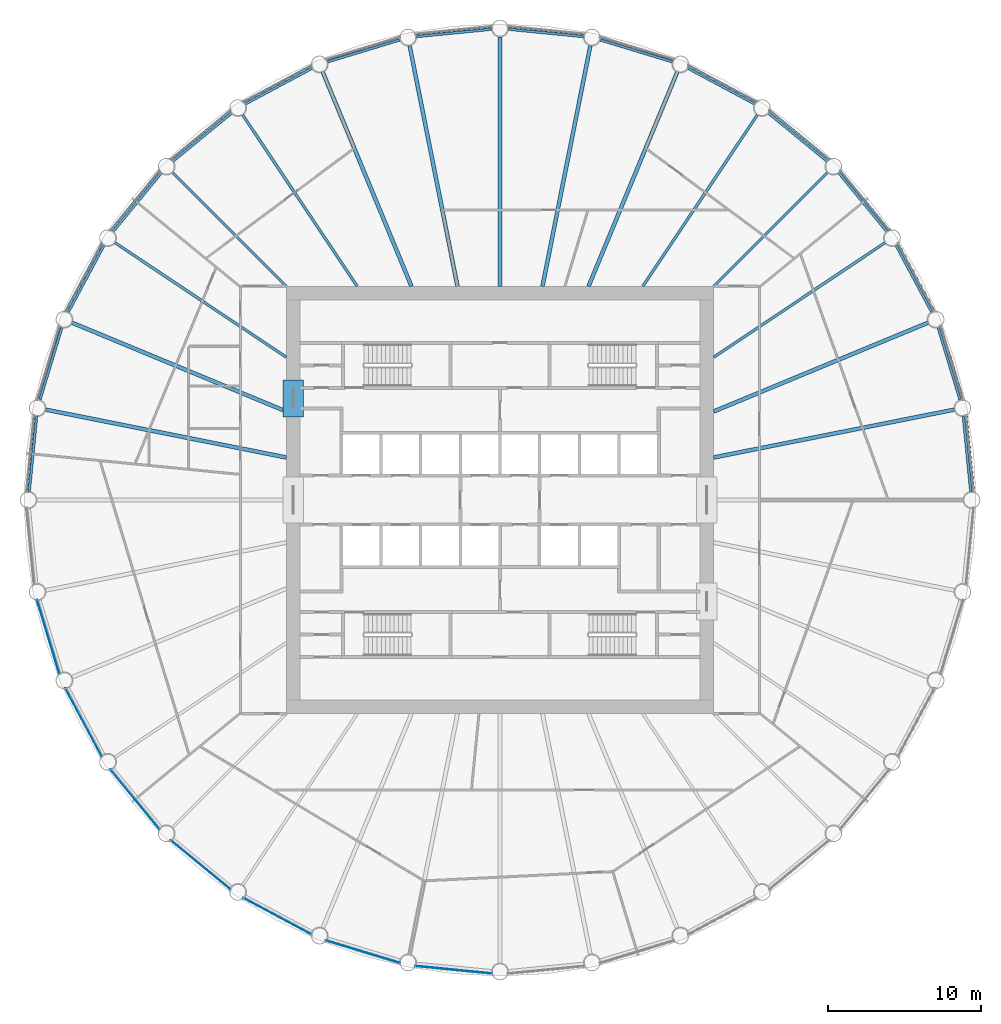
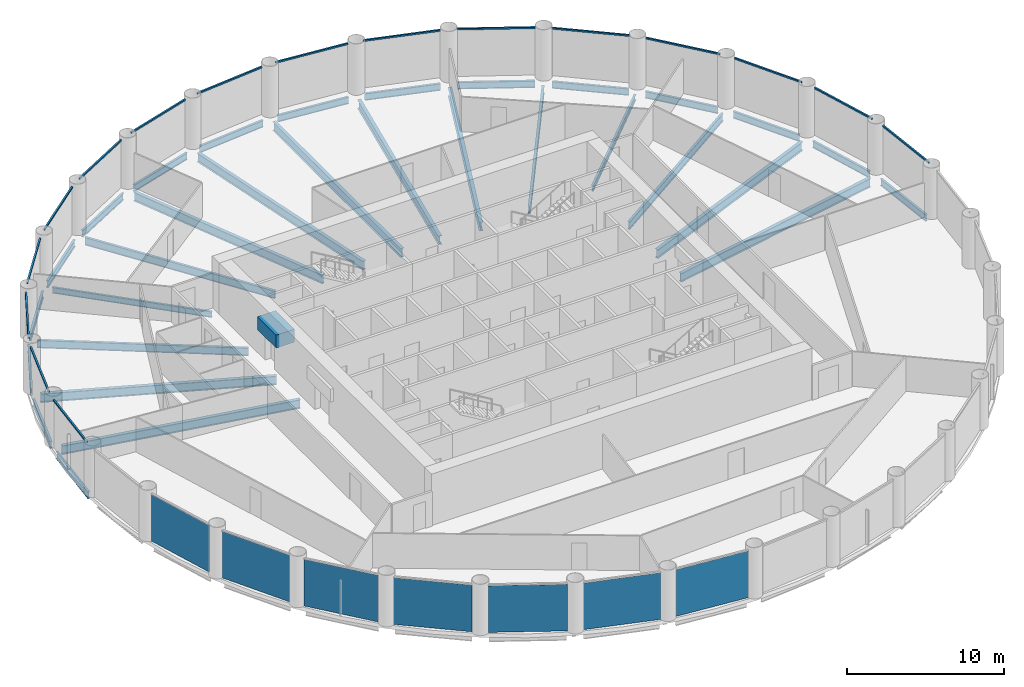
# One storey, part 2 of 9: 32 beams, 16 members, 7 plates, 23 elements without a shape of their own.
"""IFC4 building model written with IfcOpenShell, lengths in metres."""

from ifc_helpers import new_model, si_unit, direction, frame, origin, origin_2d, place, context, subcontext, project, spatial, rectangle, i_section, extrude, material, layer, layer_set, material_profile, profile_set, type_object, element, aggregate, save


model = new_model("IFC4")

# Units and contexts
model_context = context("Model", 3, precision=1e-05, world=origin(), true_north=direction((0.0, 1.0)))
body_context = subcontext(model_context, "Body", "Model", "MODEL_VIEW")
ifc_project = project(units=[si_unit("LENGTHUNIT", "METRE"), si_unit("AREAUNIT", "SQUARE_METRE"), si_unit("VOLUMEUNIT", "CUBIC_METRE"), si_unit("PLANEANGLEUNIT", "RADIAN"), si_unit("MASSUNIT", "GRAM", prefix="KILO")], contexts=[model_context])

# Site, building, storey
site_placement = place(None, origin())
site = spatial("IfcSite", under=ifc_project, at=site_placement, CompositionType="ELEMENT")
building_placement = place(site_placement, origin())
building = spatial("IfcBuilding", under=site, at=building_placement, Name="Corvane Civic Tower", CompositionType="ELEMENT")
storey_placement = place(building_placement, frame((0.0, 0.0, 168.0)))
storey = spatial("IfcBuildingStorey", under=building, at=storey_placement, Name="L39", CompositionType="ELEMENT", Elevation=168.0)

# Beams
ifc_material_1 = material(Name="Concrete C60/75", Category="concrete")
ifc_material_profile_1 = material_profile(ifc_material_1, rectangle(XDim=1.35009765625, YDim=1.0, at=origin_2d()), Name="COUPLING BEAM 1350X1000")
ifc_profile_set_1 = profile_set([ifc_material_profile_1], Name="Concrete C60/75")
beam_type_1 = type_object("IfcBeamType", Name="COUPLING BEAM COUPLING BEAM 1350X1000", PredefinedType="BEAM", material=ifc_profile_set_1)
beam_1_placement = place(storey_placement, frame((-13.550048828125, 5.449951171875, 2.60009765625), z_axis=(0.0, 1.0, 0.0), x_axis=(-1.0, 0.0, 0.0)))
element("IfcBeam", 1, at=beam_1_placement, inside=storey, type_object=beam_type_1, Name="BM-L39-cpl-CW-WN", PredefinedType="BEAM", context=body_context, shape_type="SweptSolid", body=[
    extrude(rectangle(XDim=1.35009765625, YDim=1.0, at=origin_2d()), origin(), (0.0, 0.0, 1.0), 2.400146484375),
])
ifc_material_2 = material(Name="Steel ASTM A992 Gr 50", Category="steel")
ifc_material_profile_2 = material_profile(ifc_material_2, i_section(OverallWidth=0.165771484375, OverallDepth=0.5283203125, WebThickness=0.009765625, FlangeThickness=0.013671875, at=origin_2d()), Name="W21X50")
ifc_profile_set_2 = profile_set([ifc_material_profile_2], Name="Steel ASTM A992 Gr 50")
beam_type_2 = type_object("IfcBeamType", Name="EDGE BEAM W21X50", PredefinedType="BEAM", material=ifc_profile_set_2)
beam_2_placement = place(storey_placement, frame((0.54736328125, 30.845947265625, -0.564208984375), z_axis=(0.995186236294, -0.09800181167, 0.0), x_axis=(0.09800181167, 0.995186236294, 0.0)))
element("IfcBeam", 2, at=beam_2_placement, inside=storey, type_object=beam_type_2, Name="BM-L39-E01", PredefinedType="BEAM", context=body_context, shape_type="SweptSolid", body=[
    extrude(i_section(OverallWidth=0.165771484375, OverallDepth=0.5283203125, WebThickness=0.009765625, FlangeThickness=0.013671875, at=origin_2d()), origin(), (0.0, 0.0, 1.0), 4.95751953125),
])
beam_3_placement = place(storey_placement, frame((6.5546875, 30.146484375, -0.564208984375), z_axis=(0.956944842086, -0.290269821381, 0.0), x_axis=(0.290269821381, 0.956944842086, 0.0)))
element("IfcBeam", 3, at=beam_3_placement, inside=storey, type_object=beam_type_2, Name="BM-L39-E02", PredefinedType="BEAM", context=body_context, shape_type="SweptSolid", body=[
    extrude(i_section(OverallWidth=0.165771484375, OverallDepth=0.5283203125, WebThickness=0.009765625, FlangeThickness=0.013671875, at=origin_2d()), origin(), (0.0, 0.0, 1.0), 4.957275390625),
])
for number, where, z_axis, x_axis, name in (
    (4, (12.31005859375, 28.28857421875, -0.564208984375), (0.881921784846, -0.471395763042, 0.0), (0.471395763042, 0.881921784846, 0.0), "BM-L39-E03"),
    (5, (17.59228515625, 25.343505859375, -0.564208984375), (0.77301516208, -0.634387546532, 0.0), (0.634387546532, 0.77301516208, 0.0), "BM-L39-E04"),
    (6, (22.198486328125, 21.424560546875, -0.564208984375), (0.634387546532, -0.77301516208, 0.0), (0.77301516208, 0.634387546532, 0.0), "BM-L39-E05"),
    (7, (25.95166015625, 16.68212890625, -0.564208984375), (0.471395763042, -0.881921784846, 0.0), (0.881921784846, 0.471395763042, 0.0), "BM-L39-E06"),
):
    element("IfcBeam", number, at=place(storey_placement, frame(where, z_axis=z_axis, x_axis=x_axis)), inside=storey, type_object=beam_type_2, Name=name, PredefinedType="BEAM", context=body_context, shape_type="SweptSolid", body=[
        extrude(i_section(OverallWidth=0.165771484375, OverallDepth=0.5283203125, WebThickness=0.009765625, FlangeThickness=0.013671875, at=origin_2d()), origin(), (0.0, 0.0, 1.0), 4.95751953125),
    ])
beam_4_placement = place(storey_placement, frame((28.70751953125, 11.298583984375, -0.564208984375), z_axis=(0.290269821381, -0.956944842086, 0.0), x_axis=(0.956944842086, 0.290269821381, 0.0)))
element("IfcBeam", 8, at=beam_4_placement, inside=storey, type_object=beam_type_2, Name="BM-L39-E07", PredefinedType="BEAM", context=body_context, shape_type="SweptSolid", body=[
    extrude(i_section(OverallWidth=0.165771484375, OverallDepth=0.5283203125, WebThickness=0.009765625, FlangeThickness=0.013671875, at=origin_2d()), origin(), (0.0, 0.0, 1.0), 4.957275390625),
])
for number, where, z_axis, x_axis, name in (
    (9, (30.360107421875, 5.48095703125, -0.564208984375), (0.09800181167, -0.995186236294, 0.0), (0.995186236294, 0.09800181167, 0.0), "BM-L39-E08"),
    (10, (-30.845947265625, 0.54736328125, -0.564208984375), (0.09800181167, 0.995186236294, 0.0), (-0.995186236294, 0.09800181167, 0.0), "BM-L39-E25"),
):
    element("IfcBeam", number, at=place(storey_placement, frame(where, z_axis=z_axis, x_axis=x_axis)), inside=storey, type_object=beam_type_2, Name=name, PredefinedType="BEAM", context=body_context, shape_type="SweptSolid", body=[
        extrude(i_section(OverallWidth=0.165771484375, OverallDepth=0.5283203125, WebThickness=0.009765625, FlangeThickness=0.013671875, at=origin_2d()), origin(), (0.0, 0.0, 1.0), 4.95751953125),
    ])
beam_5_placement = place(storey_placement, frame((-30.146484375, 6.5546875, -0.564208984375), z_axis=(0.290269821381, 0.956944842086, 0.0), x_axis=(-0.956944842086, 0.290269821381, 0.0)))
element("IfcBeam", 11, at=beam_5_placement, inside=storey, type_object=beam_type_2, Name="BM-L39-E26", PredefinedType="BEAM", context=body_context, shape_type="SweptSolid", body=[
    extrude(i_section(OverallWidth=0.165771484375, OverallDepth=0.5283203125, WebThickness=0.009765625, FlangeThickness=0.013671875, at=origin_2d()), origin(), (0.0, 0.0, 1.0), 4.957275390625),
])
for number, where, z_axis, x_axis, name in (
    (12, (-28.28857421875, 12.31005859375, -0.564208984375), (0.471395763042, 0.881921784846, 0.0), (-0.881921784846, 0.471395763042, 0.0), "BM-L39-E27"),
    (13, (-25.343505859375, 17.59228515625, -0.564208984375), (0.634387546532, 0.77301516208, 0.0), (-0.77301516208, 0.634387546532, 0.0), "BM-L39-E28"),
    (14, (-21.424560546875, 22.198486328125, -0.564208984375), (0.77301516208, 0.634387546532, 0.0), (-0.634387546532, 0.77301516208, 0.0), "BM-L39-E29"),
    (15, (-16.68212890625, 25.95166015625, -0.564208984375), (0.881921784846, 0.471395763042, 0.0), (-0.471395763042, 0.881921784846, 0.0), "BM-L39-E30"),
):
    element("IfcBeam", number, at=place(storey_placement, frame(where, z_axis=z_axis, x_axis=x_axis)), inside=storey, type_object=beam_type_2, Name=name, PredefinedType="BEAM", context=body_context, shape_type="SweptSolid", body=[
        extrude(i_section(OverallWidth=0.165771484375, OverallDepth=0.5283203125, WebThickness=0.009765625, FlangeThickness=0.013671875, at=origin_2d()), origin(), (0.0, 0.0, 1.0), 4.95751953125),
    ])
beam_6_placement = place(storey_placement, frame((-11.298583984375, 28.70751953125, -0.564208984375), z_axis=(0.956944842086, 0.290269821381, 0.0), x_axis=(-0.290269821381, 0.956944842086, 0.0)))
element("IfcBeam", 16, at=beam_6_placement, inside=storey, type_object=beam_type_2, Name="BM-L39-E31", PredefinedType="BEAM", context=body_context, shape_type="SweptSolid", body=[
    extrude(i_section(OverallWidth=0.165771484375, OverallDepth=0.5283203125, WebThickness=0.009765625, FlangeThickness=0.013671875, at=origin_2d()), origin(), (0.0, 0.0, 1.0), 4.957275390625),
])
beam_7_placement = place(storey_placement, frame((-5.48095703125, 30.360107421875, -0.564208984375), z_axis=(0.995186236294, 0.09800181167, 0.0), x_axis=(-0.09800181167, 0.995186236294, 0.0)))
element("IfcBeam", 17, at=beam_7_placement, inside=storey, type_object=beam_type_2, Name="BM-L39-E32", PredefinedType="BEAM", context=body_context, shape_type="SweptSolid", body=[
    extrude(i_section(OverallWidth=0.165771484375, OverallDepth=0.5283203125, WebThickness=0.009765625, FlangeThickness=0.013671875, at=origin_2d()), origin(), (0.0, 0.0, 1.0), 4.95751953125),
])
ifc_material_3 = material(Name="Steel ASTM A992 Gr 50", Category="steel")
ifc_material_profile_3 = material_profile(ifc_material_3, i_section(OverallWidth=0.15283203125, OverallDepth=0.45458984375, WebThickness=0.008056640625, FlangeThickness=0.013427734375, at=origin_2d()), Name="W18X40")
ifc_profile_set_3 = profile_set([ifc_material_profile_3], Name="Steel ASTM A992 Gr 50")
beam_type_3 = type_object("IfcBeamType", Name="FLOOR GIRDER W18X40", PredefinedType="BEAM", material=ifc_profile_set_3)
for number, where, z_axis, x_axis, name in (
    (18, (14.0, 14.0, -0.52734375), (0.707106781187, 0.707106781187, 0.0), (-0.707106781187, 0.707106781187, 0.0), "BM-L39-G05"),
    (19, (-14.0, 14.0, -0.52734375), (-0.707106781187, 0.707106781187, 0.0), (-0.707106781187, -0.707106781187, 0.0), "BM-L39-G29"),
):
    element("IfcBeam", number, at=place(storey_placement, frame(where, z_axis=z_axis, x_axis=x_axis)), inside=storey, type_object=beam_type_3, Name=name, PredefinedType="BEAM", context=body_context, shape_type="SweptSolid", body=[
        extrude(i_section(OverallWidth=0.15283203125, OverallDepth=0.45458984375, WebThickness=0.008056640625, FlangeThickness=0.013427734375, at=origin_2d()), origin(), (0.0, 0.0, 1.0), 10.551025390625),
    ])
ifc_material_4 = material(Name="Steel ASTM A992 Gr 50", Category="steel")
ifc_material_profile_4 = material_profile(ifc_material_4, i_section(OverallWidth=0.177978515625, OverallDepth=0.599365234375, WebThickness=0.010009765625, FlangeThickness=0.012939453125, at=origin_2d()), Name="W24X55")
ifc_profile_set_4 = profile_set([ifc_material_profile_4], Name="Steel ASTM A992 Gr 50")
beam_type_4 = type_object("IfcBeamType", Name="FLOOR GIRDER W24X55", PredefinedType="BEAM", material=ifc_profile_set_4)
for number, where, z_axis, x_axis, name in (
    (20, (9.3544921875, 14.0, -0.599609375), (0.555571323015, 0.83146888399, 0.0), (-0.83146888399, 0.555571323015, 0.0), "BM-L39-G04"),
    (21, (14.0, 9.3544921875, -0.599609375), (0.83146888399, 0.555571323015, 0.0), (-0.555571323015, 0.83146888399, 0.0), "BM-L39-G06"),
    (22, (-14.0, 9.3544921875, -0.599609375), (-0.83146888399, 0.555571323015, 0.0), (-0.555571323015, -0.83146888399, 0.0), "BM-L39-G28"),
    (23, (-9.3544921875, 14.0, -0.599609375), (-0.555571323015, 0.83146888399, 0.0), (-0.83146888399, -0.555571323015, 0.0), "BM-L39-G30"),
):
    element("IfcBeam", number, at=place(storey_placement, frame(where, z_axis=z_axis, x_axis=x_axis)), inside=storey, type_object=beam_type_4, Name=name, PredefinedType="BEAM", context=body_context, shape_type="SweptSolid", body=[
        extrude(i_section(OverallWidth=0.177978515625, OverallDepth=0.599365234375, WebThickness=0.010009765625, FlangeThickness=0.012939453125, at=origin_2d()), origin(), (0.0, 0.0, 1.0), 13.512451171875),
    ])
ifc_material_5 = material(Name="Steel ASTM A992 Gr 50", Category="steel")
ifc_material_profile_5 = material_profile(ifc_material_5, i_section(OverallWidth=0.25390625, OverallDepth=0.67822265625, WebThickness=0.01171875, FlangeThickness=0.016357421875, at=origin_2d()), Name="W27X84")
ifc_profile_set_5 = profile_set([ifc_material_profile_5], Name="Steel ASTM A992 Gr 50")
beam_type_5 = type_object("IfcBeamType", Name="FLOOR GIRDER W27X84", PredefinedType="BEAM", material=ifc_profile_set_5)
beam_8_placement = place(storey_placement, frame((0.0, 14.0, -0.63916015625), z_axis=(0.0, 1.0, 0.0), x_axis=(-1.0, 0.0, 0.0)))
element("IfcBeam", 24, at=beam_8_placement, inside=storey, type_object=beam_type_5, Name="BM-L39-G01", PredefinedType="BEAM", context=body_context, shape_type="SweptSolid", body=[
    extrude(i_section(OverallWidth=0.25390625, OverallDepth=0.67822265625, WebThickness=0.01171875, FlangeThickness=0.016357421875, at=origin_2d()), origin(), (0.0, 0.0, 1.0), 16.35009765625),
])
beam_9_placement = place(storey_placement, frame((2.78466796875, 14.0, -0.63916015625), z_axis=(0.195090912248, 0.980785162999, 0.0), x_axis=(-0.980785162999, 0.195090912248, 0.0)))
element("IfcBeam", 25, at=beam_9_placement, inside=storey, type_object=beam_type_5, Name="BM-L39-G02", PredefinedType="BEAM", context=body_context, shape_type="SweptSolid", body=[
    extrude(i_section(OverallWidth=0.25390625, OverallDepth=0.67822265625, WebThickness=0.01171875, FlangeThickness=0.016357421875, at=origin_2d()), origin(), (0.0, 0.0, 1.0), 16.07568359375),
])
for number, where, z_axis, x_axis, name in (
    (26, (5.799072265625, 14.0, -0.63916015625), (0.38268097323, 0.923880551114, 0.0), (-0.923880551114, 0.38268097323, 0.0), "BM-L39-G03"),
    (27, (14.0, 5.799072265625, -0.63916015625), (0.923880551114, 0.38268097323, 0.0), (-0.38268097323, 0.923880551114, 0.0), "BM-L39-G07"),
):
    element("IfcBeam", number, at=place(storey_placement, frame(where, z_axis=z_axis, x_axis=x_axis)), inside=storey, type_object=beam_type_5, Name=name, PredefinedType="BEAM", context=body_context, shape_type="SweptSolid", body=[
        extrude(i_section(OverallWidth=0.25390625, OverallDepth=0.67822265625, WebThickness=0.01171875, FlangeThickness=0.016357421875, at=origin_2d()), origin(), (0.0, 0.0, 1.0), 15.196533203125),
    ])
for number, where, z_axis, x_axis, name in (
    (28, (14.0, 2.78466796875, -0.63916015625), (0.980785162999, 0.195090912248, 0.0), (-0.195090912248, 0.980785162999, 0.0), "BM-L39-G08"),
    (29, (-14.0, 2.78466796875, -0.63916015625), (-0.980785162999, 0.195090912248, 0.0), (-0.195090912248, -0.980785162999, 0.0), "BM-L39-G26"),
):
    element("IfcBeam", number, at=place(storey_placement, frame(where, z_axis=z_axis, x_axis=x_axis)), inside=storey, type_object=beam_type_5, Name=name, PredefinedType="BEAM", context=body_context, shape_type="SweptSolid", body=[
        extrude(i_section(OverallWidth=0.25390625, OverallDepth=0.67822265625, WebThickness=0.01171875, FlangeThickness=0.016357421875, at=origin_2d()), origin(), (0.0, 0.0, 1.0), 16.07568359375),
    ])
for number, where, z_axis, x_axis, name in (
    (30, (-14.0, 5.799072265625, -0.63916015625), (-0.923880551114, 0.38268097323, 0.0), (-0.38268097323, -0.923880551114, 0.0), "BM-L39-G27"),
    (31, (-5.799072265625, 14.0, -0.63916015625), (-0.38268097323, 0.923880551114, 0.0), (-0.923880551114, -0.38268097323, 0.0), "BM-L39-G31"),
):
    element("IfcBeam", number, at=place(storey_placement, frame(where, z_axis=z_axis, x_axis=x_axis)), inside=storey, type_object=beam_type_5, Name=name, PredefinedType="BEAM", context=body_context, shape_type="SweptSolid", body=[
        extrude(i_section(OverallWidth=0.25390625, OverallDepth=0.67822265625, WebThickness=0.01171875, FlangeThickness=0.016357421875, at=origin_2d()), origin(), (0.0, 0.0, 1.0), 15.196533203125),
    ])
beam_10_placement = place(storey_placement, frame((-2.78466796875, 14.0, -0.63916015625), z_axis=(-0.195090912248, 0.980785162999, 0.0), x_axis=(-0.980785162999, -0.195090912248, 0.0)))
element("IfcBeam", 32, at=beam_10_placement, inside=storey, type_object=beam_type_5, Name="BM-L39-G32", PredefinedType="BEAM", context=body_context, shape_type="SweptSolid", body=[
    extrude(i_section(OverallWidth=0.25390625, OverallDepth=0.67822265625, WebThickness=0.01171875, FlangeThickness=0.016357421875, at=origin_2d()), origin(), (0.0, 0.0, 1.0), 16.07568359375),
])

# Curtain wall, member
ifc_material_6 = material(Name="Anodised aluminium bronze", Category="aluminium")
curtain_wall_type = type_object("IfcCurtainWallType", Name="TOWER CW-T2 STICK CURTAIN WALL", PredefinedType="NOTDEFINED", material=ifc_material_6)
curtain_wall_1_placement = place(storey_placement, origin())
curtain_wall_1 = element("IfcCurtainWall", 33, at=curtain_wall_1_placement, inside=storey, type_object=curtain_wall_type, Name="Curtain wall CW-T2 L39 bay 01", PredefinedType="NOTDEFINED")
ifc_material_7 = material(Name="Anodised aluminium bronze", Category="aluminium")
ifc_material_profile_6 = material_profile(ifc_material_7, rectangle(XDim=0.1201171875, YDim=0.1201171875, at=origin_2d()), Name="TOWER CW-T2 TRANSOM 120x120")
ifc_profile_set_6 = profile_set([ifc_material_profile_6], Name="Anodised aluminium bronze")
member_type = type_object("IfcMemberType", Name="TOWER CW-T2 TRANSOM 120x120", PredefinedType="USERDEFINED", material=ifc_profile_set_6)
member_1_placement = place(storey_placement, frame((0.505126953125, 31.0302734375, 3.68994140625), z_axis=(0.995187423416, -0.097989755963, 0.0), x_axis=(0.097989755963, 0.995187423416, 0.0)))
member_1 = element("IfcMember", 34, at=member_1_placement, type_object=member_type, Name="Transom CW-T2 L39 01.1", ObjectType="TRANSOM", PredefinedType="USERDEFINED", context=body_context, shape_type="SweptSolid", body=[
    extrude(rectangle(XDim=0.1201171875, YDim=0.1201171875, at=origin_2d()), origin(), (0.0, 0.0, 1.0), 5.07763671875),
])
aggregate(curtain_wall_1, [member_1])

curtain_wall_2_placement = place(storey_placement, origin())
curtain_wall_2 = element("IfcCurtainWall", 35, at=curtain_wall_2_placement, inside=storey, type_object=curtain_wall_type, Name="Curtain wall CW-T2 L39 bay 02", PredefinedType="NOTDEFINED")
member_2_placement = place(storey_placement, frame((6.54931640625, 30.33544921875, 3.68994140625), z_axis=(0.956939031389, -0.290288977061, 0.0), x_axis=(0.290288977061, 0.956939031389, 0.0)))
member_2 = element("IfcMember", 36, at=member_2_placement, type_object=member_type, Name="Transom CW-T2 L39 02.1", ObjectType="TRANSOM", PredefinedType="USERDEFINED", context=body_context, shape_type="SweptSolid", body=[
    extrude(rectangle(XDim=0.1201171875, YDim=0.1201171875, at=origin_2d()), origin(), (0.0, 0.0, 1.0), 5.077392578125),
])
aggregate(curtain_wall_2, [member_2])

curtain_wall_3_placement = place(storey_placement, origin())
curtain_wall_3 = element("IfcCurtainWall", 37, at=curtain_wall_3_placement, inside=storey, type_object=curtain_wall_type, Name="Curtain wall CW-T2 L39 bay 03", PredefinedType="NOTDEFINED")
member_3_placement = place(storey_placement, frame((12.341552734375, 28.474853515625, 3.68994140625), z_axis=(0.881921329426, -0.471396615074, 0.0), x_axis=(0.471396615074, 0.881921329426, 0.0)))
member_3 = element("IfcMember", 38, at=member_3_placement, type_object=member_type, Name="Transom CW-T2 L39 03.1", ObjectType="TRANSOM", PredefinedType="USERDEFINED", context=body_context, shape_type="SweptSolid", body=[
    extrude(rectangle(XDim=0.1201171875, YDim=0.1201171875, at=origin_2d()), origin(), (0.0, 0.0, 1.0), 5.07763671875),
])
aggregate(curtain_wall_3, [member_3])

curtain_wall_4_placement = place(storey_placement, origin())
curtain_wall_4 = element("IfcCurtainWall", 39, at=curtain_wall_4_placement, inside=storey, type_object=curtain_wall_type, Name="Curtain wall CW-T2 L39 bay 04", PredefinedType="NOTDEFINED")
member_4_placement = place(storey_placement, frame((17.65966796875, 25.519775390625, 3.68994140625), z_axis=(0.773015929719, -0.634386611146, 0.0), x_axis=(0.634386611146, 0.773015929719, 0.0)))
member_4 = element("IfcMember", 40, at=member_4_placement, type_object=member_type, Name="Transom CW-T2 L39 04.1", ObjectType="TRANSOM", PredefinedType="USERDEFINED", context=body_context, shape_type="SweptSolid", body=[
    extrude(rectangle(XDim=0.1201171875, YDim=0.1201171875, at=origin_2d()), origin(), (0.0, 0.0, 1.0), 5.0771484375),
])
aggregate(curtain_wall_4, [member_4])

curtain_wall_5_placement = place(storey_placement, origin())
curtain_wall_5 = element("IfcCurtainWall", 41, at=curtain_wall_5_placement, inside=storey, type_object=curtain_wall_type, Name="Curtain wall CW-T2 L39 bay 05", PredefinedType="NOTDEFINED")
member_5_placement = place(storey_placement, frame((22.298828125, 21.58447265625, 3.68994140625), z_axis=(0.634386611146, -0.773015929719, 0.0), x_axis=(0.773015929719, 0.634386611146, 0.0)))
member_5 = element("IfcMember", 42, at=member_5_placement, type_object=member_type, Name="Transom CW-T2 L39 05.1", ObjectType="TRANSOM", PredefinedType="USERDEFINED", context=body_context, shape_type="SweptSolid", body=[
    extrude(rectangle(XDim=0.1201171875, YDim=0.1201171875, at=origin_2d()), origin(), (0.0, 0.0, 1.0), 5.0771484375),
])
aggregate(curtain_wall_5, [member_5])

curtain_wall_6_placement = place(storey_placement, origin())
curtain_wall_6 = element("IfcCurtainWall", 43, at=curtain_wall_6_placement, inside=storey, type_object=curtain_wall_type, Name="Curtain wall CW-T2 L39 bay 06", PredefinedType="NOTDEFINED")
member_6_placement = place(storey_placement, frame((26.081298828125, 16.819580078125, 3.68994140625), z_axis=(0.471396615074, -0.881921329426, 0.0), x_axis=(0.881921329426, 0.471396615074, 0.0)))
member_6 = element("IfcMember", 44, at=member_6_placement, type_object=member_type, Name="Transom CW-T2 L39 06.1", ObjectType="TRANSOM", PredefinedType="USERDEFINED", context=body_context, shape_type="SweptSolid", body=[
    extrude(rectangle(XDim=0.1201171875, YDim=0.1201171875, at=origin_2d()), origin(), (0.0, 0.0, 1.0), 5.07763671875),
])
aggregate(curtain_wall_6, [member_6])

curtain_wall_7_placement = place(storey_placement, origin())
curtain_wall_7 = element("IfcCurtainWall", 45, at=curtain_wall_7_placement, inside=storey, type_object=curtain_wall_type, Name="Curtain wall CW-T2 L39 bay 07", PredefinedType="NOTDEFINED")
member_7_placement = place(storey_placement, frame((28.861572265625, 11.407958984375, 3.68994140625), z_axis=(0.290288977061, -0.956939031389, 0.0), x_axis=(0.956939031389, 0.290288977061, 0.0)))
member_7 = element("IfcMember", 46, at=member_7_placement, type_object=member_type, Name="Transom CW-T2 L39 07.1", ObjectType="TRANSOM", PredefinedType="USERDEFINED", context=body_context, shape_type="SweptSolid", body=[
    extrude(rectangle(XDim=0.1201171875, YDim=0.1201171875, at=origin_2d()), origin(), (0.0, 0.0, 1.0), 5.077392578125),
])
aggregate(curtain_wall_7, [member_7])

curtain_wall_8_placement = place(storey_placement, origin())
curtain_wall_8 = element("IfcCurtainWall", 47, at=curtain_wall_8_placement, inside=storey, type_object=curtain_wall_type, Name="Curtain wall CW-T2 L39 bay 08", PredefinedType="NOTDEFINED")
member_8_placement = place(storey_placement, frame((30.53271484375, 5.558349609375, 3.68994140625), z_axis=(0.097989755963, -0.995187423416, 0.0), x_axis=(0.995187423416, 0.097989755963, 0.0)))
member_8 = element("IfcMember", 48, at=member_8_placement, type_object=member_type, Name="Transom CW-T2 L39 08.1", ObjectType="TRANSOM", PredefinedType="USERDEFINED", context=body_context, shape_type="SweptSolid", body=[
    extrude(rectangle(XDim=0.1201171875, YDim=0.1201171875, at=origin_2d()), origin(), (0.0, 0.0, 1.0), 5.07763671875),
])
aggregate(curtain_wall_8, [member_8])

curtain_wall_9_placement = place(storey_placement, origin())
curtain_wall_9 = element("IfcCurtainWall", 49, at=curtain_wall_9_placement, inside=storey, type_object=curtain_wall_type, Name="Curtain wall CW-T2 L39 bay 25", PredefinedType="NOTDEFINED")
member_9_placement = place(storey_placement, frame((-31.0302734375, 0.505126953125, 3.68994140625), z_axis=(0.097989755963, 0.995187423416, 0.0), x_axis=(-0.995187423416, 0.097989755963, 0.0)))
member_9 = element("IfcMember", 50, at=member_9_placement, type_object=member_type, Name="Transom CW-T2 L39 25.1", ObjectType="TRANSOM", PredefinedType="USERDEFINED", context=body_context, shape_type="SweptSolid", body=[
    extrude(rectangle(XDim=0.1201171875, YDim=0.1201171875, at=origin_2d()), origin(), (0.0, 0.0, 1.0), 5.07763671875),
])
aggregate(curtain_wall_9, [member_9])

curtain_wall_10_placement = place(storey_placement, origin())
curtain_wall_10 = element("IfcCurtainWall", 51, at=curtain_wall_10_placement, inside=storey, type_object=curtain_wall_type, Name="Curtain wall CW-T2 L39 bay 26", PredefinedType="NOTDEFINED")
member_10_placement = place(storey_placement, frame((-30.33544921875, 6.54931640625, 3.68994140625), z_axis=(0.290288977061, 0.956939031389, 0.0), x_axis=(-0.956939031389, 0.290288977061, 0.0)))
member_10 = element("IfcMember", 52, at=member_10_placement, type_object=member_type, Name="Transom CW-T2 L39 26.1", ObjectType="TRANSOM", PredefinedType="USERDEFINED", context=body_context, shape_type="SweptSolid", body=[
    extrude(rectangle(XDim=0.1201171875, YDim=0.1201171875, at=origin_2d()), origin(), (0.0, 0.0, 1.0), 5.077392578125),
])
aggregate(curtain_wall_10, [member_10])

curtain_wall_11_placement = place(storey_placement, origin())
curtain_wall_11 = element("IfcCurtainWall", 53, at=curtain_wall_11_placement, inside=storey, type_object=curtain_wall_type, Name="Curtain wall CW-T2 L39 bay 27", PredefinedType="NOTDEFINED")
member_11_placement = place(storey_placement, frame((-28.474853515625, 12.341552734375, 3.68994140625), z_axis=(0.471396615074, 0.881921329426, 0.0), x_axis=(-0.881921329426, 0.471396615074, 0.0)))
member_11 = element("IfcMember", 54, at=member_11_placement, type_object=member_type, Name="Transom CW-T2 L39 27.1", ObjectType="TRANSOM", PredefinedType="USERDEFINED", context=body_context, shape_type="SweptSolid", body=[
    extrude(rectangle(XDim=0.1201171875, YDim=0.1201171875, at=origin_2d()), origin(), (0.0, 0.0, 1.0), 5.07763671875),
])
aggregate(curtain_wall_11, [member_11])

curtain_wall_12_placement = place(storey_placement, origin())
curtain_wall_12 = element("IfcCurtainWall", 55, at=curtain_wall_12_placement, inside=storey, type_object=curtain_wall_type, Name="Curtain wall CW-T2 L39 bay 28", PredefinedType="NOTDEFINED")
member_12_placement = place(storey_placement, frame((-25.519775390625, 17.65966796875, 3.68994140625), z_axis=(0.634386611146, 0.773015929719, 0.0), x_axis=(-0.773015929719, 0.634386611146, 0.0)))
member_12 = element("IfcMember", 56, at=member_12_placement, type_object=member_type, Name="Transom CW-T2 L39 28.1", ObjectType="TRANSOM", PredefinedType="USERDEFINED", context=body_context, shape_type="SweptSolid", body=[
    extrude(rectangle(XDim=0.1201171875, YDim=0.1201171875, at=origin_2d()), origin(), (0.0, 0.0, 1.0), 5.0771484375),
])
aggregate(curtain_wall_12, [member_12])

curtain_wall_13_placement = place(storey_placement, origin())
curtain_wall_13 = element("IfcCurtainWall", 57, at=curtain_wall_13_placement, inside=storey, type_object=curtain_wall_type, Name="Curtain wall CW-T2 L39 bay 29", PredefinedType="NOTDEFINED")
member_13_placement = place(storey_placement, frame((-21.58447265625, 22.298828125, 3.68994140625), z_axis=(0.773015929719, 0.634386611146, 0.0), x_axis=(-0.634386611146, 0.773015929719, 0.0)))
member_13 = element("IfcMember", 58, at=member_13_placement, type_object=member_type, Name="Transom CW-T2 L39 29.1", ObjectType="TRANSOM", PredefinedType="USERDEFINED", context=body_context, shape_type="SweptSolid", body=[
    extrude(rectangle(XDim=0.1201171875, YDim=0.1201171875, at=origin_2d()), origin(), (0.0, 0.0, 1.0), 5.0771484375),
])
aggregate(curtain_wall_13, [member_13])

curtain_wall_14_placement = place(storey_placement, origin())
curtain_wall_14 = element("IfcCurtainWall", 59, at=curtain_wall_14_placement, inside=storey, type_object=curtain_wall_type, Name="Curtain wall CW-T2 L39 bay 30", PredefinedType="NOTDEFINED")
member_14_placement = place(storey_placement, frame((-16.819580078125, 26.081298828125, 3.68994140625), z_axis=(0.881921329426, 0.471396615074, 0.0), x_axis=(-0.471396615074, 0.881921329426, 0.0)))
member_14 = element("IfcMember", 60, at=member_14_placement, type_object=member_type, Name="Transom CW-T2 L39 30.1", ObjectType="TRANSOM", PredefinedType="USERDEFINED", context=body_context, shape_type="SweptSolid", body=[
    extrude(rectangle(XDim=0.1201171875, YDim=0.1201171875, at=origin_2d()), origin(), (0.0, 0.0, 1.0), 5.07763671875),
])
aggregate(curtain_wall_14, [member_14])

curtain_wall_15_placement = place(storey_placement, origin())
curtain_wall_15 = element("IfcCurtainWall", 61, at=curtain_wall_15_placement, inside=storey, type_object=curtain_wall_type, Name="Curtain wall CW-T2 L39 bay 31", PredefinedType="NOTDEFINED")
member_15_placement = place(storey_placement, frame((-11.407958984375, 28.861572265625, 3.68994140625), z_axis=(0.956939031389, 0.290288977061, 0.0), x_axis=(-0.290288977061, 0.956939031389, 0.0)))
member_15 = element("IfcMember", 62, at=member_15_placement, type_object=member_type, Name="Transom CW-T2 L39 31.1", ObjectType="TRANSOM", PredefinedType="USERDEFINED", context=body_context, shape_type="SweptSolid", body=[
    extrude(rectangle(XDim=0.1201171875, YDim=0.1201171875, at=origin_2d()), origin(), (0.0, 0.0, 1.0), 5.077392578125),
])
aggregate(curtain_wall_15, [member_15])

curtain_wall_16_placement = place(storey_placement, origin())
curtain_wall_16 = element("IfcCurtainWall", 63, at=curtain_wall_16_placement, inside=storey, type_object=curtain_wall_type, Name="Curtain wall CW-T2 L39 bay 32", PredefinedType="NOTDEFINED")
member_16_placement = place(storey_placement, frame((-5.558349609375, 30.53271484375, 3.68994140625), z_axis=(0.995187423416, 0.097989755963, 0.0), x_axis=(-0.097989755963, 0.995187423416, 0.0)))
member_16 = element("IfcMember", 64, at=member_16_placement, type_object=member_type, Name="Transom CW-T2 L39 32.1", ObjectType="TRANSOM", PredefinedType="USERDEFINED", context=body_context, shape_type="SweptSolid", body=[
    extrude(rectangle(XDim=0.1201171875, YDim=0.1201171875, at=origin_2d()), origin(), (0.0, 0.0, 1.0), 5.07763671875),
])
aggregate(curtain_wall_16, [member_16])

# Curtain wall, plate
curtain_wall_17_placement = place(storey_placement, origin())
curtain_wall_17 = element("IfcCurtainWall", 65, at=curtain_wall_17_placement, inside=storey, type_object=curtain_wall_type, Name="Curtain wall CW-T2 L39 bay 17", PredefinedType="NOTDEFINED")
ifc_material_8 = material(Name="Tinted glass", Category="glass")
ifc_layer = layer(ifc_material_8, 0.031982421875)
ifc_layer_set = layer_set([ifc_layer], Name="Tinted glass")
plate_type = type_object("IfcPlateType", Name="TOWER CW-T2 PANEL IGU32", PredefinedType="CURTAIN_PANEL", material=ifc_layer_set)
plate_1_placement = place(storey_placement, frame((-3.03173828125, -30.781494140625, 0.0), z_axis=(0.0, 0.0, 1.0), x_axis=(-0.995185244531, 0.098011882274, 0.0)))
plate_1 = element("IfcPlate", 66, at=plate_1_placement, type_object=plate_type, Name="Glass panel CW-T2 L39 17.1", PredefinedType="CURTAIN_PANEL", context=body_context, shape_type="SweptSolid", body=[
    extrude(rectangle(XDim=5.07763671875, YDim=0.031982421875, at=origin_2d()), origin(), (0.0, 0.0, 1.0), 3.6298828125),
])
aggregate(curtain_wall_17, [plate_1])

curtain_wall_18_placement = place(storey_placement, origin())
curtain_wall_18 = element("IfcCurtainWall", 67, at=curtain_wall_18_placement, inside=storey, type_object=curtain_wall_type, Name="Curtain wall CW-T2 L39 bay 18", PredefinedType="NOTDEFINED")
plate_2_placement = place(storey_placement, frame((-8.978515625, -29.5986328125, 0.0), z_axis=(0.0, 0.0, 1.0), x_axis=(-0.956931677007, 0.290313219714, 0.0)))
plate_2 = element("IfcPlate", 68, at=plate_2_placement, type_object=plate_type, Name="Glass panel CW-T2 L39 18.1", PredefinedType="CURTAIN_PANEL", context=body_context, shape_type="SweptSolid", body=[
    extrude(rectangle(XDim=5.077392578125, YDim=0.031982421875, at=origin_2d()), origin(), (0.0, 0.0, 1.0), 3.6298828125),
])
aggregate(curtain_wall_18, [plate_2])

curtain_wall_19_placement = place(storey_placement, origin())
curtain_wall_19 = element("IfcCurtainWall", 69, at=curtain_wall_19_placement, inside=storey, type_object=curtain_wall_type, Name="Curtain wall CW-T2 L39 bay 19", PredefinedType="NOTDEFINED")
plate_3_placement = place(storey_placement, frame((-14.58056640625, -27.278076171875, 0.0), z_axis=(0.0, 0.0, 1.0), x_axis=(-0.881922190434, 0.471395004238, 0.0)))
plate_3 = element("IfcPlate", 70, at=plate_3_placement, type_object=plate_type, Name="Glass panel CW-T2 L39 19.1", PredefinedType="CURTAIN_PANEL", context=body_context, shape_type="SweptSolid", body=[
    extrude(rectangle(XDim=5.077392578125, YDim=0.031982421875, at=origin_2d()), origin(), (0.0, 0.0, 1.0), 3.6298828125),
])
aggregate(curtain_wall_19, [plate_3])

curtain_wall_20_placement = place(storey_placement, origin())
curtain_wall_20 = element("IfcCurtainWall", 71, at=curtain_wall_20_placement, inside=storey, type_object=curtain_wall_type, Name="Curtain wall CW-T2 L39 bay 20", PredefinedType="NOTDEFINED")
plate_4_placement = place(storey_placement, frame((-19.6220703125, -23.909423828125, 0.0), z_axis=(0.0, 0.0, 1.0), x_axis=(-0.773004844196, 0.634400118891, 0.0)))
plate_4 = element("IfcPlate", 72, at=plate_4_placement, type_object=plate_type, Name="Glass panel CW-T2 L39 20.1", PredefinedType="CURTAIN_PANEL", context=body_context, shape_type="SweptSolid", body=[
    extrude(rectangle(XDim=5.0771484375, YDim=0.031982421875, at=origin_2d()), origin(), (0.0, 0.0, 1.0), 3.6298828125),
])
aggregate(curtain_wall_20, [plate_4])

curtain_wall_21_placement = place(storey_placement, origin())
curtain_wall_21 = element("IfcCurtainWall", 73, at=curtain_wall_21_placement, inside=storey, type_object=curtain_wall_type, Name="Curtain wall CW-T2 L39 bay 21", PredefinedType="NOTDEFINED")
plate_5_placement = place(storey_placement, frame((-23.909423828125, -19.6220703125, 0.0), z_axis=(0.0, 0.0, 1.0), x_axis=(-0.634400118891, 0.773004844196, 0.0)))
plate_5 = element("IfcPlate", 74, at=plate_5_placement, type_object=plate_type, Name="Glass panel CW-T2 L39 21.1", PredefinedType="CURTAIN_PANEL", context=body_context, shape_type="SweptSolid", body=[
    extrude(rectangle(XDim=5.0771484375, YDim=0.031982421875, at=origin_2d()), origin(), (0.0, 0.0, 1.0), 3.6298828125),
])
aggregate(curtain_wall_21, [plate_5])

curtain_wall_22_placement = place(storey_placement, origin())
curtain_wall_22 = element("IfcCurtainWall", 75, at=curtain_wall_22_placement, inside=storey, type_object=curtain_wall_type, Name="Curtain wall CW-T2 L39 bay 22", PredefinedType="NOTDEFINED")
plate_6_placement = place(storey_placement, frame((-27.278076171875, -14.58056640625, 0.0), z_axis=(0.0, 0.0, 1.0), x_axis=(-0.471395004238, 0.881922190434, 0.0)))
plate_6 = element("IfcPlate", 76, at=plate_6_placement, type_object=plate_type, Name="Glass panel CW-T2 L39 22.1", PredefinedType="CURTAIN_PANEL", context=body_context, shape_type="SweptSolid", body=[
    extrude(rectangle(XDim=5.077392578125, YDim=0.031982421875, at=origin_2d()), origin(), (0.0, 0.0, 1.0), 3.6298828125),
])
aggregate(curtain_wall_22, [plate_6])

curtain_wall_23_placement = place(storey_placement, origin())
curtain_wall_23 = element("IfcCurtainWall", 77, at=curtain_wall_23_placement, inside=storey, type_object=curtain_wall_type, Name="Curtain wall CW-T2 L39 bay 23", PredefinedType="NOTDEFINED")
plate_7_placement = place(storey_placement, frame((-29.5986328125, -8.978515625, 0.0), z_axis=(0.0, 0.0, 1.0), x_axis=(-0.290313219714, 0.956931677007, 0.0)))
plate_7 = element("IfcPlate", 78, at=plate_7_placement, type_object=plate_type, Name="Glass panel CW-T2 L39 23.1", PredefinedType="CURTAIN_PANEL", context=body_context, shape_type="SweptSolid", body=[
    extrude(rectangle(XDim=5.077392578125, YDim=0.031982421875, at=origin_2d()), origin(), (0.0, 0.0, 1.0), 3.6298828125),
])
aggregate(curtain_wall_23, [plate_7])

save(model, "model.ifc")
